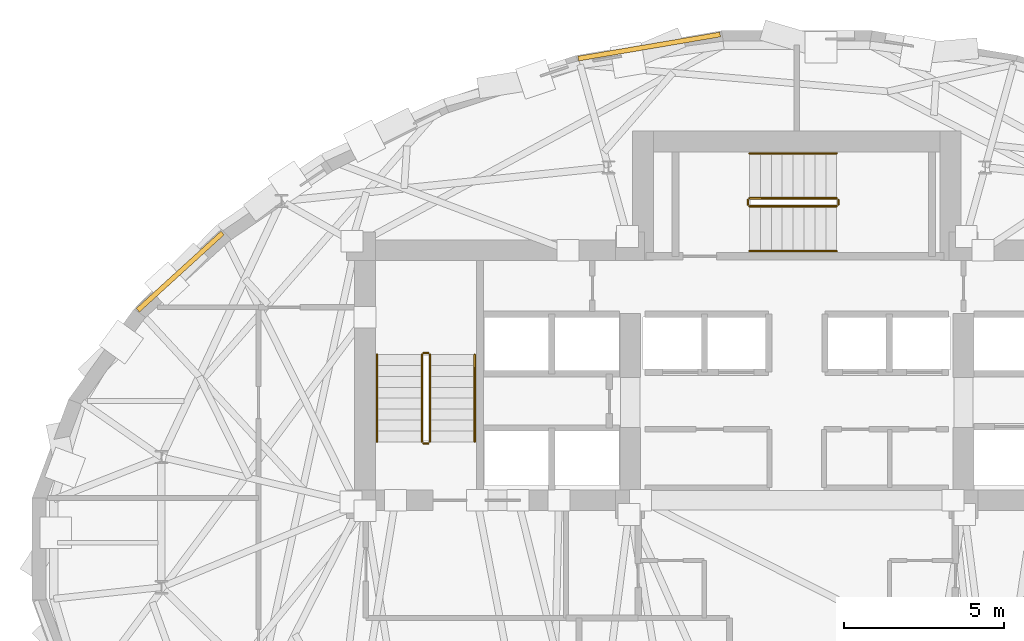
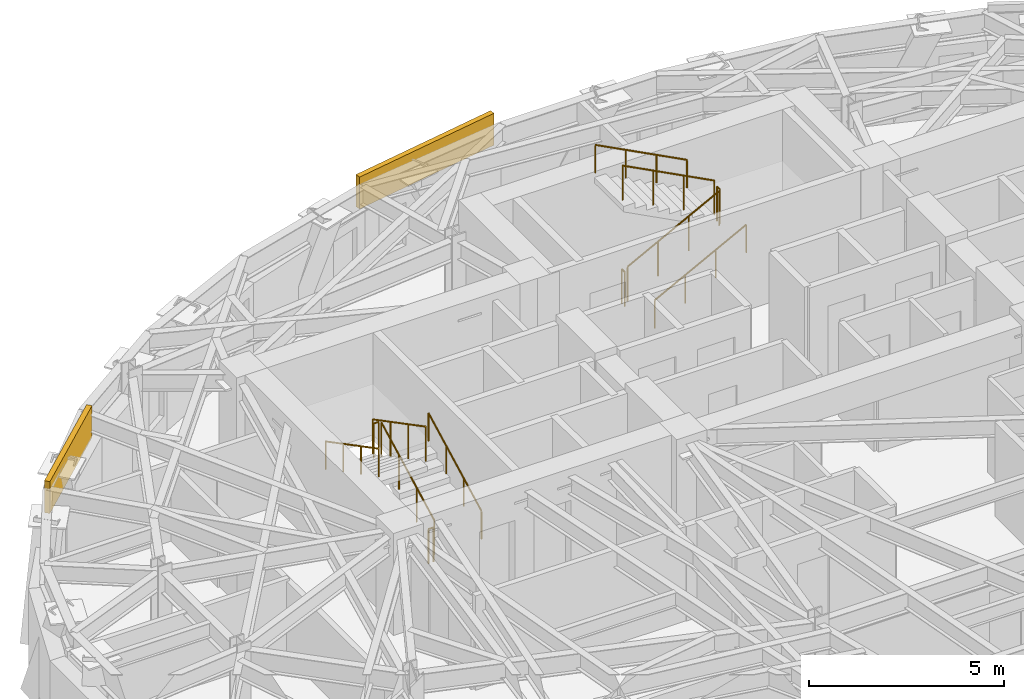
# One storey, part 11 of 12: 12 railings, 2 coverings.
"""IFC4 building model written with IfcOpenShell, lengths in metres."""

from ifc_helpers import new_model, si_unit, direction, frame, origin, origin_2d, place, context, subcontext, project, spatial, rectangle, circle, extrude, material, layer, layer_set, type_object, element, save


model = new_model("IFC4")

# Units and contexts
model_context = context("Model", 3, precision=1e-05, world=origin(), true_north=direction((0.0, 1.0)))
body_context = subcontext(model_context, "Body", "Model", "MODEL_VIEW")
ifc_project = project(units=[si_unit("LENGTHUNIT", "METRE"), si_unit("AREAUNIT", "SQUARE_METRE"), si_unit("VOLUMEUNIT", "CUBIC_METRE"), si_unit("PLANEANGLEUNIT", "RADIAN"), si_unit("MASSUNIT", "GRAM", prefix="KILO")], contexts=[model_context])

# Site, building, storey
site_placement = place(None, origin())
site = spatial("IfcSite", under=ifc_project, at=site_placement, CompositionType="ELEMENT")
building_placement = place(site_placement, origin())
building = spatial("IfcBuilding", under=site, at=building_placement, Name="Keldmark Tower", CompositionType="ELEMENT")
storey_placement = place(building_placement, frame((0.0, 0.0, 198.199951171875)))
storey = spatial("IfcBuildingStorey", under=building, at=storey_placement, Name="L55", CompositionType="ELEMENT", Elevation=198.199951171875)

# Coverings
ifc_material_1 = material(Name="Honed Kasota Buff Dolomitic Limestone", Category="masonry")
ifc_layer = layer(ifc_material_1, 0.074951171875)
ifc_layer_set = layer_set([ifc_layer], Name="Honed Kasota Buff Dolomitic Limestone")
covering_type = type_object("IfcCoveringType", Name="Kasota Buff Limestone Spandrel Cladding Band", PredefinedType="CLADDING", material=ifc_layer_set)
covering_1_placement = place(storey_placement, frame((-4.603515625, 15.6845703125, 2.178955078125), z_axis=(0.0, 0.0, 1.0), x_axis=(-0.985861828782, -0.167560301238, 0.0)))
element("IfcCovering", 1, at=covering_1_placement, inside=storey, type_object=covering_type, Name="L55 Kasota Limestone Spandrel Band 09", PredefinedType="CLADDING", context=body_context, shape_type="SweptSolid", body=[
    extrude(rectangle(XDim=4.488525390625, YDim=0.14990234375, at=origin_2d()), origin(), (0.0, 0.0, 1.0), 1.0009765625),
])
covering_2_placement = place(storey_placement, frame((-19.2421875, 8.65966796875, 2.178955078125), z_axis=(0.0, 0.0, 1.0), x_axis=(-0.738996467228, -0.673709300384, 0.0)))
element("IfcCovering", 2, at=covering_2_placement, inside=storey, type_object=covering_type, Name="L55 Kasota Limestone Spandrel Band 13", PredefinedType="CLADDING", context=body_context, shape_type="SweptSolid", body=[
    extrude(rectangle(XDim=3.578857421875, YDim=0.14990234375, at=origin_2d()), origin(), (0.0, 0.0, 1.0), 1.0009765625),
])

# Railings
ifc_material_2 = material(Name="Painted Steel ASTM A500 Grade B", Category="steel")
railing_type_1 = type_object("IfcRailingType", Name="Painted Steel Stair Well Guard 1100 mm", PredefinedType="GUARDRAIL", material=ifc_material_2)
railing_1_placement = place(storey_placement, frame((-11.449951171875, 3.35009765625, 0.177734375)))
element("IfcRailing", 3, at=railing_1_placement, inside=storey, type_object=railing_type_1, Name="L55 ST1 stair guard 1", PredefinedType="GUARDRAIL", context=body_context, shape_type="SweptSolid", body=[
    extrude(circle(Radius=0.02392578125, at=origin_2d()), frame((0.0, 0.0, 1.076171875), z_axis=(0.0, 0.886150474775, 0.463397600399), x_axis=(-1.0, 0.0, 0.0)), (0.0, 0.0, 1.0), 3.0693359375),
    extrude(circle(Radius=0.02099609375, at=origin_2d()), origin(), (0.0, 0.0, 1.0), 1.052001953125),
    extrude(circle(Radius=0.02099609375, at=origin_2d()), frame((0.0, 0.90673828125, 0.47412109375)), (0.0, 0.0, 1.0), 1.052001953125),
    extrude(circle(Radius=0.02099609375, at=origin_2d()), frame((0.0, 1.813232421875, 0.9482421875)), (0.0, 0.0, 1.0), 1.052001953125),
    extrude(circle(Radius=0.02099609375, at=origin_2d()), frame((0.0, 2.719970703125, 1.42236328125)), (0.0, 0.0, 1.0), 1.052001953125),
])
railing_2_placement = place(storey_placement, frame((-11.5, 6.1201171875, 1.60009765625)))
element("IfcRailing", 4, at=railing_2_placement, inside=storey, type_object=railing_type_1, Name="L55 ST1 stair guard 2", PredefinedType="GUARDRAIL", context=body_context, shape_type="SweptSolid", body=[
    extrude(circle(Radius=0.02392578125, at=origin_2d()), frame((0.0, 0.0, 1.076171875), z_axis=(-1.0, 0.0, 0.0), x_axis=(0.0, -1.0, 0.0)), (0.0, 0.0, 1.0), 0.14990234375),
    extrude(circle(Radius=0.02099609375, at=origin_2d()), origin(), (0.0, 0.0, 1.0), 1.052001953125),
    extrude(circle(Radius=0.02099609375, at=origin_2d()), frame((-0.14990234375, 0.0, 0.0)), (0.0, 0.0, 1.0), 1.052001953125),
])
railing_3_placement = place(storey_placement, frame((-11.699951171875, 6.070068359375, 1.77783203125)))
element("IfcRailing", 5, at=railing_3_placement, inside=storey, type_object=railing_type_1, Name="L55 ST1 stair guard 3", PredefinedType="GUARDRAIL", context=body_context, shape_type="SweptSolid", body=[
    extrude(circle(Radius=0.02392578125, at=origin_2d()), frame((0.0, 0.0, 1.076171875), z_axis=(0.0, -0.886183135912, 0.463335137482), x_axis=(1.0, 0.0, 0.0)), (0.0, 0.0, 1.0), 3.0693359375),
    extrude(circle(Radius=0.02099609375, at=origin_2d()), origin(), (0.0, 0.0, 1.0), 1.052001953125),
    extrude(circle(Radius=0.02099609375, at=origin_2d()), frame((0.0, -0.90673828125, 0.47412109375)), (0.0, 0.0, 1.0), 1.052001953125),
    extrude(circle(Radius=0.02099609375, at=origin_2d()), frame((0.0, -1.813232421875, 0.947998046875)), (0.0, 0.0, 1.0), 1.052001953125),
    extrude(circle(Radius=0.02099609375, at=origin_2d()), frame((0.0, -2.719970703125, 1.422119140625)), (0.0, 0.0, 1.0), 1.052001953125),
])
railing_4_placement = place(storey_placement, frame((-11.5, 3.300048828125, 0.0)))
element("IfcRailing", 6, at=railing_4_placement, inside=storey, type_object=railing_type_1, Name="L55 ST1 stair guard 4", PredefinedType="GUARDRAIL", context=body_context, shape_type="SweptSolid", body=[
    extrude(circle(Radius=0.02392578125, at=origin_2d()), frame((0.0, 0.0, 1.076171875), z_axis=(-1.0, 0.0, 0.0), x_axis=(0.0, -1.0, 0.0)), (0.0, 0.0, 1.0), 0.14990234375),
    extrude(circle(Radius=0.02099609375, at=origin_2d()), origin(), (0.0, 0.0, 1.0), 1.052001953125),
    extrude(circle(Radius=0.02099609375, at=origin_2d()), frame((-0.14990234375, 0.0, 0.0)), (0.0, 0.0, 1.0), 1.052001953125),
])
railing_5_placement = place(storey_placement, frame((-1.47509765625, 10.699951171875, 0.177734375)))
element("IfcRailing", 7, at=railing_5_placement, inside=storey, type_object=railing_type_1, Name="L55 ST3 stair guard 1", PredefinedType="GUARDRAIL", context=body_context, shape_type="SweptSolid", body=[
    extrude(circle(Radius=0.02392578125, at=origin_2d()), frame((0.0, 0.0, 1.076171875), z_axis=(0.886167553088, 0.0, 0.463364940252), x_axis=(0.0, 1.0, 0.0)), (0.0, 0.0, 1.0), 3.069580078125),
    extrude(circle(Radius=0.02099609375, at=origin_2d()), origin(), (0.0, 0.0, 1.0), 1.052001953125),
    extrude(circle(Radius=0.02099609375, at=origin_2d()), frame((0.90673828125, 0.0, 0.47412109375)), (0.0, 0.0, 1.0), 1.052001953125),
    extrude(circle(Radius=0.02099609375, at=origin_2d()), frame((1.8134765625, 0.0, 0.9482421875)), (0.0, 0.0, 1.0), 1.052001953125),
    extrude(circle(Radius=0.02099609375, at=origin_2d()), frame((2.72021484375, 0.0, 1.42236328125)), (0.0, 0.0, 1.0), 1.052001953125),
])
railing_6_placement = place(storey_placement, frame((1.294921875, 10.75, 1.60009765625)))
element("IfcRailing", 8, at=railing_6_placement, inside=storey, type_object=railing_type_1, Name="L55 ST3 stair guard 2", PredefinedType="GUARDRAIL", context=body_context, shape_type="SweptSolid", body=[
    extrude(circle(Radius=0.02392578125, at=origin_2d()), frame((0.0, 0.0, 1.076171875), z_axis=(0.0, 1.0, 0.0), x_axis=(-1.0, 0.0, 0.0)), (0.0, 0.0, 1.0), 0.14990234375),
    extrude(circle(Radius=0.02099609375, at=origin_2d()), origin(), (0.0, 0.0, 1.0), 1.052001953125),
    extrude(circle(Radius=0.02099609375, at=origin_2d()), frame((0.0, 0.14990234375, 0.0)), (0.0, 0.0, 1.0), 1.052001953125),
])
railing_7_placement = place(storey_placement, frame((1.2451171875, 10.949951171875, 1.77783203125)))
element("IfcRailing", 9, at=railing_7_placement, inside=storey, type_object=railing_type_1, Name="L55 ST3 stair guard 3", PredefinedType="GUARDRAIL", context=body_context, shape_type="SweptSolid", body=[
    extrude(circle(Radius=0.02392578125, at=origin_2d()), frame((0.0, 0.0, 1.076171875), z_axis=(-0.886200210249, 0.0, 0.463302479331), x_axis=(0.0, -1.0, 0.0)), (0.0, 0.0, 1.0), 3.069580078125),
    extrude(circle(Radius=0.02099609375, at=origin_2d()), origin(), (0.0, 0.0, 1.0), 1.052001953125),
    extrude(circle(Radius=0.02099609375, at=origin_2d()), frame((-0.90673828125, 0.0, 0.47412109375)), (0.0, 0.0, 1.0), 1.052001953125),
    extrude(circle(Radius=0.02099609375, at=origin_2d()), frame((-1.8134765625, 0.0, 0.947998046875)), (0.0, 0.0, 1.0), 1.052001953125),
    extrude(circle(Radius=0.02099609375, at=origin_2d()), frame((-2.72021484375, 0.0, 1.422119140625)), (0.0, 0.0, 1.0), 1.052001953125),
])
railing_8_placement = place(storey_placement, frame((-1.52490234375, 10.75, 0.0)))
element("IfcRailing", 10, at=railing_8_placement, inside=storey, type_object=railing_type_1, Name="L55 ST3 stair guard 4", PredefinedType="GUARDRAIL", context=body_context, shape_type="SweptSolid", body=[
    extrude(circle(Radius=0.02392578125, at=origin_2d()), frame((0.0, 0.0, 1.076171875), z_axis=(0.0, 1.0, 0.0), x_axis=(-1.0, 0.0, 0.0)), (0.0, 0.0, 1.0), 0.14990234375),
    extrude(circle(Radius=0.02099609375, at=origin_2d()), origin(), (0.0, 0.0, 1.0), 1.052001953125),
    extrude(circle(Radius=0.02099609375, at=origin_2d()), frame((0.0, 0.14990234375, 0.0)), (0.0, 0.0, 1.0), 1.052001953125),
])
ifc_material_3 = material(Name="Stainless Steel AISI 316L", Category="steel")
railing_type_2 = type_object("IfcRailingType", Name="Stainless Steel Stair Handrail 900 mm", PredefinedType="HANDRAIL", material=ifc_material_3)
railing_9_placement = place(storey_placement, frame((-10.050048828125, 3.35009765625, 0.177734375)))
element("IfcRailing", 11, at=railing_9_placement, inside=storey, type_object=railing_type_2, Name="L55 ST1 stair handrail 1", PredefinedType="HANDRAIL", context=body_context, shape_type="SweptSolid", body=[
    extrude(circle(Radius=0.02392578125, at=origin_2d()), frame((0.0, 0.0, 0.8759765625), z_axis=(0.0, 0.886150474775, 0.463397600399), x_axis=(-1.0, 0.0, 0.0)), (0.0, 0.0, 1.0), 3.0693359375),
    extrude(circle(Radius=0.02099609375, at=origin_2d()), origin(), (0.0, 0.0, 1.0), 0.851806640625),
    extrude(circle(Radius=0.02099609375, at=origin_2d()), frame((0.0, 0.90673828125, 0.47412109375)), (0.0, 0.0, 1.0), 0.851806640625),
    extrude(circle(Radius=0.02099609375, at=origin_2d()), frame((0.0, 1.813232421875, 0.9482421875)), (0.0, 0.0, 1.0), 0.851806640625),
    extrude(circle(Radius=0.02099609375, at=origin_2d()), frame((0.0, 2.719970703125, 1.42236328125)), (0.0, 0.0, 1.0), 0.851806640625),
])
railing_10_placement = place(storey_placement, frame((-13.10009765625, 6.070068359375, 1.77783203125)))
element("IfcRailing", 12, at=railing_10_placement, inside=storey, type_object=railing_type_2, Name="L55 ST1 stair handrail 2", PredefinedType="HANDRAIL", context=body_context, shape_type="SweptSolid", body=[
    extrude(circle(Radius=0.02392578125, at=origin_2d()), frame((0.0, 0.0, 0.8759765625), z_axis=(0.0, -0.886183135912, 0.463335137482), x_axis=(1.0, 0.0, 0.0)), (0.0, 0.0, 1.0), 3.0693359375),
    extrude(circle(Radius=0.02099609375, at=origin_2d()), origin(), (0.0, 0.0, 1.0), 0.851806640625),
    extrude(circle(Radius=0.02099609375, at=origin_2d()), frame((0.0, -0.90673828125, 0.47412109375)), (0.0, 0.0, 1.0), 0.851806640625),
    extrude(circle(Radius=0.02099609375, at=origin_2d()), frame((0.0, -1.813232421875, 0.947998046875)), (0.0, 0.0, 1.0), 0.851806640625),
    extrude(circle(Radius=0.02099609375, at=origin_2d()), frame((0.0, -2.719970703125, 1.422119140625)), (0.0, 0.0, 1.0), 0.851806640625),
])
railing_11_placement = place(storey_placement, frame((-1.47509765625, 9.300048828125, 0.177734375)))
element("IfcRailing", 13, at=railing_11_placement, inside=storey, type_object=railing_type_2, Name="L55 ST3 stair handrail 1", PredefinedType="HANDRAIL", context=body_context, shape_type="SweptSolid", body=[
    extrude(circle(Radius=0.02392578125, at=origin_2d()), frame((0.0, 0.0, 0.8759765625), z_axis=(0.886167553088, 0.0, 0.463364940252), x_axis=(0.0, 1.0, 0.0)), (0.0, 0.0, 1.0), 3.069580078125),
    extrude(circle(Radius=0.02099609375, at=origin_2d()), origin(), (0.0, 0.0, 1.0), 0.851806640625),
    extrude(circle(Radius=0.02099609375, at=origin_2d()), frame((0.90673828125, 0.0, 0.47412109375)), (0.0, 0.0, 1.0), 0.851806640625),
    extrude(circle(Radius=0.02099609375, at=origin_2d()), frame((1.8134765625, 0.0, 0.9482421875)), (0.0, 0.0, 1.0), 0.851806640625),
    extrude(circle(Radius=0.02099609375, at=origin_2d()), frame((2.72021484375, 0.0, 1.42236328125)), (0.0, 0.0, 1.0), 0.851806640625),
])
railing_12_placement = place(storey_placement, frame((1.2451171875, 12.35009765625, 1.77783203125)))
element("IfcRailing", 14, at=railing_12_placement, inside=storey, type_object=railing_type_2, Name="L55 ST3 stair handrail 2", PredefinedType="HANDRAIL", context=body_context, shape_type="SweptSolid", body=[
    extrude(circle(Radius=0.02392578125, at=origin_2d()), frame((0.0, 0.0, 0.8759765625), z_axis=(-0.886200210249, 0.0, 0.463302479331), x_axis=(0.0, -1.0, 0.0)), (0.0, 0.0, 1.0), 3.069580078125),
    extrude(circle(Radius=0.02099609375, at=origin_2d()), origin(), (0.0, 0.0, 1.0), 0.851806640625),
    extrude(circle(Radius=0.02099609375, at=origin_2d()), frame((-0.90673828125, 0.0, 0.47412109375)), (0.0, 0.0, 1.0), 0.851806640625),
    extrude(circle(Radius=0.02099609375, at=origin_2d()), frame((-1.8134765625, 0.0, 0.947998046875)), (0.0, 0.0, 1.0), 0.851806640625),
    extrude(circle(Radius=0.02099609375, at=origin_2d()), frame((-2.72021484375, 0.0, 1.422119140625)), (0.0, 0.0, 1.0), 0.851806640625),
])

save(model, "model.ifc")
